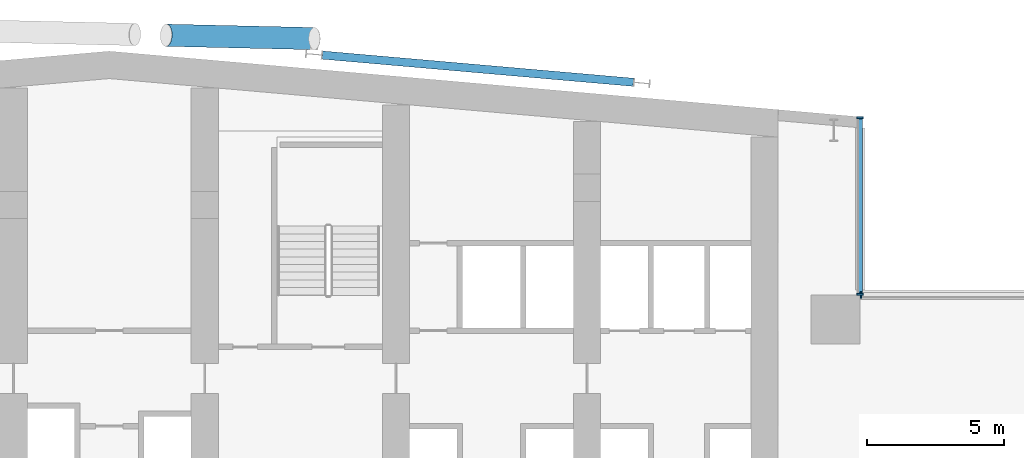
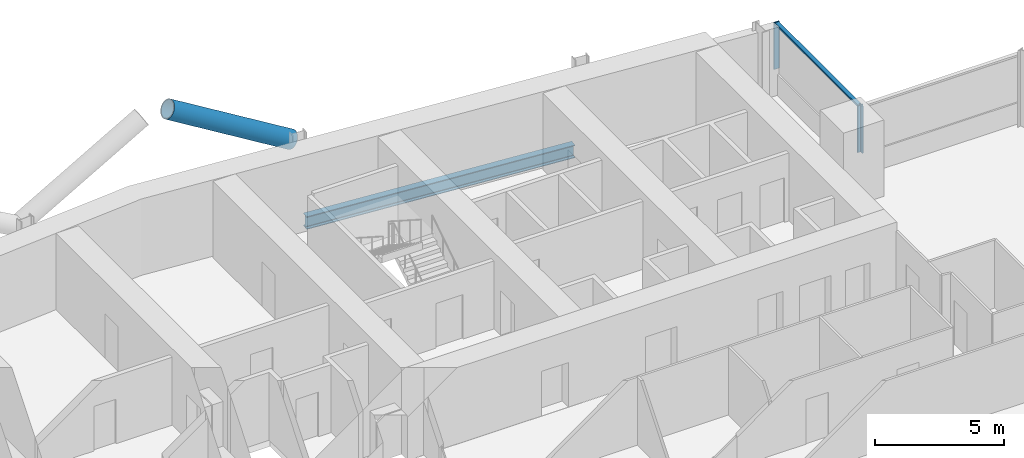
# One storey, part 9 of 30: 5 members, 1 beam, 2 elements without a shape of their own.
"""IFC4 building model written with IfcOpenShell, lengths in metres."""

import ifcopenshell
import ifcopenshell.guid

model = None  # the IFC model being written
_history = None  # IfcOwnerHistory: only IFC2X3 demands one
_inside = {}  # id of a spatial element -> (the spatial element, [elements in it])
_under = {}  # id of a project, library or spatial element -> (it, [spatial elements below it])
_declared = {}  # id of a project -> (the project, [libraries it declares])
_typed = {}  # id of a type object -> (the type object, [elements of that type])
_made_of = {}  # id of a material, layer set ... -> (it, [elements and type objects made of it])


def new_model(schema):
    """Start an empty IFC model of exactly this schema.

    Asked for "IFC4X3", IfcOpenShell would pick the latest addendum, in which some entities
    have other attributes; the version numbers below select the first issue.
    IFC2X3 requires an IfcOwnerHistory on every rooted entity: one is made here for all.
    """
    global model, _history
    if schema == "IFC4X3":
        model = ifcopenshell.file(schema_version=(4, 3, 0, 0))
    else:
        model = ifcopenshell.file(schema=schema)
    _inside.clear()
    _under.clear()
    _declared.clear()
    _typed.clear()
    _made_of.clear()
    _history = None
    if model.schema == "IFC2X3":
        org = make("IfcOrganization", Name="unknown")
        user = make(
            "IfcPersonAndOrganization",
            ThePerson=make("IfcPerson", FamilyName="unknown"),
            TheOrganization=org,
        )
        app = make(
            "IfcApplication",
            ApplicationDeveloper=org,
            Version="unknown",
            ApplicationFullName="unknown",
            ApplicationIdentifier="unknown",
        )
        _history = make(
            "IfcOwnerHistory",
            OwningUser=user,
            OwningApplication=app,
            ChangeAction="ADDED",
            CreationDate=0,
        )
    return model


def make(cls, **values):
    """One entity of the class cls with the attributes given. An attribute that is None is left unset."""
    return model.create_entity(
        cls, **{name: value for name, value in values.items() if value is not None}
    )


def rooted(cls, **values):
    """An entity with a GlobalId (a new one), such as an element, a storey or a relation."""
    return make(cls, GlobalId=ifcopenshell.guid.new(), OwnerHistory=_history, **values)


def si_unit(unit_type, name, prefix=None):
    """IfcSIUnit, for example si_unit("LENGTHUNIT", "METRE", prefix="MILLI")."""
    return make("IfcSIUnit", UnitType=unit_type, Prefix=prefix, Name=name)


def assignment(units):
    """IfcUnitAssignment: the units of a project."""
    return None if units is None else make("IfcUnitAssignment", Units=units)


def point(xyz):
    """IfcCartesianPoint."""
    return None if xyz is None else make("IfcCartesianPoint", Coordinates=xyz)


def direction(xyz):
    """IfcDirection."""
    return None if xyz is None else make("IfcDirection", DirectionRatios=xyz)


def frame(location, z_axis=None, x_axis=None):
    """IfcAxis2Placement3D, a coordinate frame: its origin and axes. An axis left out is left unset."""
    return make(
        "IfcAxis2Placement3D",
        Location=point(location),
        Axis=direction(z_axis),
        RefDirection=direction(x_axis),
    )


def frame_2d(location, x_axis=None):
    """IfcAxis2Placement2D, a coordinate frame in the plane: its origin and x axis."""
    return make(
        "IfcAxis2Placement2D", Location=point(location), RefDirection=direction(x_axis)
    )


def origin():
    """The frame at (0, 0, 0) with its axes left unset."""
    return frame((0.0, 0.0, 0.0))


def origin_2d():
    """The frame at (0, 0) in the plane with its x axis left unset."""
    return frame_2d((0.0, 0.0))


def place(relative_to, where):
    """IfcLocalPlacement: puts the frame where relative to a parent placement (None: the world)."""
    return make(
        "IfcLocalPlacement", PlacementRelTo=relative_to, RelativePlacement=where
    )


def context(
    kind, dimensions, precision=None, world=None, true_north=None, identifier=None
):
    """IfcGeometricRepresentationContext, for example the 3D "Model" context."""
    return make(
        "IfcGeometricRepresentationContext",
        ContextIdentifier=identifier,
        ContextType=kind,
        CoordinateSpaceDimension=dimensions,
        Precision=precision,
        WorldCoordinateSystem=world,
        TrueNorth=true_north,
    )


def subcontext(parent, identifier, kind, view, scale=None):
    """IfcGeometricRepresentationSubContext, for example "Body" below "Model"."""
    return make(
        "IfcGeometricRepresentationSubContext",
        ContextIdentifier=identifier,
        ContextType=kind,
        ParentContext=parent,
        TargetScale=scale,
        TargetView=view,
    )


def project(units=None, contexts=None):
    """IfcProject with its units and contexts."""
    return rooted(
        "IfcProject",
        Name="project",
        RepresentationContexts=contexts,
        UnitsInContext=assignment(units),
    )


def spatial(cls, under=None, at=None, **own):
    """A site, building, storey or space (cls), placed at a placement, below another one or the project."""
    s = rooted(cls, ObjectPlacement=at, **own)
    if under is not None:
        _under.setdefault(under.id(), (under, []))[1].append(s)
    return s


def profile(cls, at=None, kind="AREA", **sizes):
    """A parametric profile (cls). Its sizes go by their IFC names, for example OverallWidth=200.0."""
    return make(cls, ProfileType=kind, Position=at, **sizes)


def rectangle(**sizes):
    """IfcRectangleProfileDef."""
    return profile("IfcRectangleProfileDef", **sizes)


def hollow_circle(**sizes):
    """IfcCircleHollowProfileDef."""
    return profile("IfcCircleHollowProfileDef", **sizes)


def i_section(**sizes):
    """IfcIShapeProfileDef."""
    return profile("IfcIShapeProfileDef", **sizes)


def extrude(swept, where, along, depth):
    """IfcExtrudedAreaSolid: the profile swept, set in the frame where, extruded along a direction by depth."""
    return make(
        "IfcExtrudedAreaSolid",
        SweptArea=swept,
        Position=where,
        ExtrudedDirection=direction(along),
        Depth=depth,
    )


def shape(context_of_items, identifier, shape_type, items):
    """IfcShapeRepresentation: the items that make up one representation, for example the "Body"."""
    return make(
        "IfcShapeRepresentation",
        ContextOfItems=context_of_items,
        RepresentationIdentifier=identifier,
        RepresentationType=shape_type,
        Items=items,
    )


def material(Name=None, Category=None):
    """IfcMaterial."""
    return make("IfcMaterial", Name=Name, Category=Category)


def material_profile(
    of_material, cross_section, Name=None, Category=None, Priority=None
):
    """IfcMaterialProfile: a cross section and its material."""
    return make(
        "IfcMaterialProfile",
        Name=Name,
        Material=of_material,
        Profile=cross_section,
        Priority=Priority,
        Category=Category,
    )


def profile_set(profiles, Name=None, composite=None):
    """IfcMaterialProfileSet."""
    return make(
        "IfcMaterialProfileSet",
        Name=Name,
        MaterialProfiles=profiles,
        CompositeProfile=composite,
    )


def made_of(thing, what):
    """Note that an element or type object is made of a material, layer set ...; save() writes the relation."""
    if what is not None:
        _made_of.setdefault(what.id(), (what, []))[1].append(thing)
    return thing


def type_object(cls, material=None, **own):
    """A type object (cls), such as IfcWallType, which elements share."""
    return made_of(rooted(cls, **own), material)


def element(
    cls,
    number,
    at=None,
    inside=None,
    cuts=None,
    type_object=None,
    material=None,
    context=None,
    identifier="Body",
    shape_type=None,
    held_by="IfcProductDefinitionShape",
    body=None,
    shapes=None,
    **own,
):
    """One element of the class cls, such as IfcWall. Its Tag is "e" and its number.

    at: its placement. inside: the storey or other place that contains it. cuts: it is an
    opening in that element (IfcRelVoidsElement). A single representation is given by context,
    identifier, shape_type and body (its items); several are given by shapes. held_by: the class
    of the entity that holds the representations. save() writes the other relations.
    """
    e = rooted(cls, Tag="e%d" % number, ObjectPlacement=at, **own)
    if body is not None:
        shapes = [shape(context, identifier, shape_type, body)]
    if shapes is not None:
        e.Representation = make(held_by, Representations=shapes)
    if inside is not None:
        _inside.setdefault(inside.id(), (inside, []))[1].append(e)
    if cuts is not None:
        rooted(
            "IfcRelVoidsElement", RelatingBuildingElement=cuts, RelatedOpeningElement=e
        )
    if type_object is not None:
        _typed.setdefault(type_object.id(), (type_object, []))[1].append(e)
    return made_of(e, material)


def aggregate(whole, parts):
    """IfcRelAggregates: a whole, such as a stair, and the parts it consists of."""
    return rooted("IfcRelAggregates", RelatingObject=whole, RelatedObjects=parts)


def save(model, path):
    """Write the relations noted so far, then the file.

    IfcRelAggregates (storeys below a building ...), IfcRelContainedInSpatialStructure (elements
    in a storey), IfcRelDefinesByType, IfcRelAssociatesMaterial and IfcRelDeclares: one each for
    every whole, place, type object, material and project.
    """
    for whole, parts in _under.values():
        aggregate(whole, parts)
    for where, things in _inside.values():
        rooted(
            "IfcRelContainedInSpatialStructure",
            RelatedElements=things,
            RelatingStructure=where,
        )
    for kind, things in _typed.values():
        rooted("IfcRelDefinesByType", RelatedObjects=things, RelatingType=kind)
    for what, things in _made_of.values():
        rooted("IfcRelAssociatesMaterial", RelatedObjects=things, RelatingMaterial=what)
    for by, libraries in _declared.values():
        rooted("IfcRelDeclares", RelatingContext=by, RelatedDefinitions=libraries)
    model.write(path)


model = new_model("IFC4")

# Units and contexts
model_context = context("Model", 3, precision=1e-05, world=origin(), true_north=direction((0.0, 1.0)))
body_context = subcontext(model_context, "Body", "Model", "MODEL_VIEW")
ifc_project = project(units=[si_unit("LENGTHUNIT", "METRE"), si_unit("AREAUNIT", "SQUARE_METRE"), si_unit("VOLUMEUNIT", "CUBIC_METRE"), si_unit("PLANEANGLEUNIT", "RADIAN"), si_unit("MASSUNIT", "GRAM", prefix="KILO")], contexts=[model_context])

# Site, building, storey
site_placement = place(None, origin())
site = spatial("IfcSite", under=ifc_project, at=site_placement, CompositionType="ELEMENT")
building_placement = place(site_placement, origin())
building = spatial("IfcBuilding", under=site, at=building_placement, Name="Wharfspan Tower", CompositionType="ELEMENT")
storey_placement = place(building_placement, frame((0.0, 0.0, 100.300049)))
storey = spatial("IfcBuildingStorey", under=building, at=storey_placement, Name="L22", CompositionType="ELEMENT", Elevation=100.300049)

# Beam
ifc_material_1 = material(Name="Steel S355J2", Category="steel")
ifc_material_profile_1 = material_profile(ifc_material_1, i_section(OverallWidth=0.300049, OverallDepth=0.600098, WebThickness=0.015381, FlangeThickness=0.030029, FilletRadius=0.0271, at=origin_2d()))
ifc_profile_set_1 = profile_set([ifc_material_profile_1], Name="Steel S355J2")
beam_type = type_object("IfcBeamType", Name="Edge beam HEB 600", PredefinedType="SPANDREL", material=ifc_profile_set_1)
beam_placement = place(storey_placement, frame((59.695068, 49.791504, -0.699951), z_axis=(-0.996194, 0.087162, 0.0), x_axis=(-0.087162, -0.996194, 0.0)))
element("IfcBeam", 1, at=beam_placement, inside=storey, type_object=beam_type, Name="Edge beam N2 L22 R.4 to R.3", PredefinedType="SPANDREL", context=body_context, shape_type="SweptSolid", body=[
    extrude(i_section(OverallWidth=0.300049, OverallDepth=0.600098, WebThickness=0.015381, FlangeThickness=0.030029, FilletRadius=0.0271, at=origin_2d()), origin(), (0.0, 0.0, 1.0), 11.433594),
])

# Curtain wall, member
ifc_material_2 = material(Name="Aluminium 6063-T6", Category="aluminium")
curtain_wall_type = type_object("IfcCurtainWallType", Name="CURTAIN WALL PROW AND END", PredefinedType="NOTDEFINED", material=ifc_material_2)
curtain_wall_1_placement = place(storey_placement, origin())
curtain_wall_1 = element("IfcCurtainWall", 2, at=curtain_wall_1_placement, inside=storey, type_object=curtain_wall_type, Name="Curtain wall NRE-H", PredefinedType="NOTDEFINED")
ifc_material_profile_2 = material_profile(ifc_material_2, rectangle(XDim=0.23999, YDim=0.060059, at=origin_2d()))
ifc_profile_set_2 = profile_set([ifc_material_profile_2], Name="Aluminium 6063-T6")
member_type_1 = type_object("IfcMemberType", Name="MULLION PROW AND END 60x240", PredefinedType="MULLION", material=ifc_profile_set_2)
member_1_placement = place(storey_placement, frame((68.030029, 42.0, 1.0), z_axis=(0.0, 0.0, 1.0), x_axis=(0.0, -1.0, 0.0)))
member_1 = element("IfcMember", 3, at=member_1_placement, type_object=member_type_1, Name="Curtain wall NRE-H mullion 2", PredefinedType="MULLION", context=body_context, shape_type="SweptSolid", body=[
    extrude(rectangle(XDim=0.23999, YDim=0.060059, at=origin_2d()), origin(), (0.0, 0.0, 1.0), 2.199951),
])
aggregate(curtain_wall_1, [member_1])

# Curtain wall, members
curtain_wall_2_placement = place(storey_placement, origin())
curtain_wall_2 = element("IfcCurtainWall", 4, at=curtain_wall_2_placement, inside=storey, type_object=curtain_wall_type, Name="Curtain wall NRE-V", PredefinedType="NOTDEFINED")
member_2_placement = place(storey_placement, frame((68.0, 42.030029, 1.0), z_axis=(0.0, 0.0, 1.0), x_axis=(-1.0, 0.0, 0.0)))
member_2 = element("IfcMember", 5, at=member_2_placement, type_object=member_type_1, Name="Curtain wall NRE-V mullion 1", PredefinedType="MULLION", context=body_context, shape_type="SweptSolid", body=[
    extrude(rectangle(XDim=0.23999, YDim=0.060059, at=origin_2d()), origin(), (0.0, 0.0, 1.0), 2.199951),
])
member_3_placement = place(storey_placement, frame((68.0, 48.494873, 1.0), z_axis=(0.0, 0.0, 1.0), x_axis=(-1.0, 0.0, 0.0)))
member_3 = element("IfcMember", 6, at=member_3_placement, type_object=member_type_1, Name="Curtain wall NRE-V mullion 2", PredefinedType="MULLION", context=body_context, shape_type="SweptSolid", body=[
    extrude(rectangle(XDim=0.23999, YDim=0.060059, at=origin_2d()), origin(), (0.0, 0.0, 1.0), 2.199951),
])

# Member
ifc_material_3 = material(Name="Steel S460NH", Category="steel")
ifc_material_profile_3 = material_profile(ifc_material_3, hollow_circle(Radius=0.406494, WallThickness=0.040039, at=origin_2d()))
ifc_profile_set_3 = profile_set([ifc_material_profile_3], Name="Steel S460NH")
member_type_2 = type_object("IfcMemberType", Name="Mega brace CHS 813x40", PredefinedType="BRACE", material=ifc_profile_set_3)
member_4_placement = place(storey_placement, frame((48.012695, 51.390381, 2.899902), z_axis=(-0.857327, 0.019686, 0.514396), x_axis=(-0.022956, -0.999736, 0.0)))
element("IfcMember", 7, at=member_4_placement, inside=storey, type_object=member_type_2, Name="Mega brace N7 L23 part 3", PredefinedType="BRACE", context=body_context, shape_type="SweptSolid", body=[
    extrude(hollow_circle(Radius=0.406494, WallThickness=0.040039, at=origin_2d()), origin(), (0.0, 0.0, 1.0), 6.324707),
])

ifc_material_profile_4 = material_profile(ifc_material_2, rectangle(XDim=0.179932, YDim=0.080078, at=origin_2d()))
ifc_profile_set_4 = profile_set([ifc_material_profile_4], Name="Aluminium 6063-T6")
member_type_3 = type_object("IfcMemberType", Name="TRANSOM PROW AND END 80x180", PredefinedType="USERDEFINED", material=ifc_profile_set_4)
member_5_placement = place(storey_placement, frame((68.0, 42.060059, 3.159912), z_axis=(0.0, 1.0, 0.0), x_axis=(-1.0, 0.0, 0.0)))
member_5 = element("IfcMember", 8, at=member_5_placement, type_object=member_type_3, Name="Curtain wall NRE-V transom 1", ObjectType="TRANSOM", PredefinedType="USERDEFINED", context=body_context, shape_type="SweptSolid", body=[
    extrude(rectangle(XDim=0.179932, YDim=0.080078, at=origin_2d()), origin(), (0.0, 0.0, 1.0), 6.404785),
])

aggregate(curtain_wall_2, [member_2, member_3, member_5])

save(model, "model.ifc")
